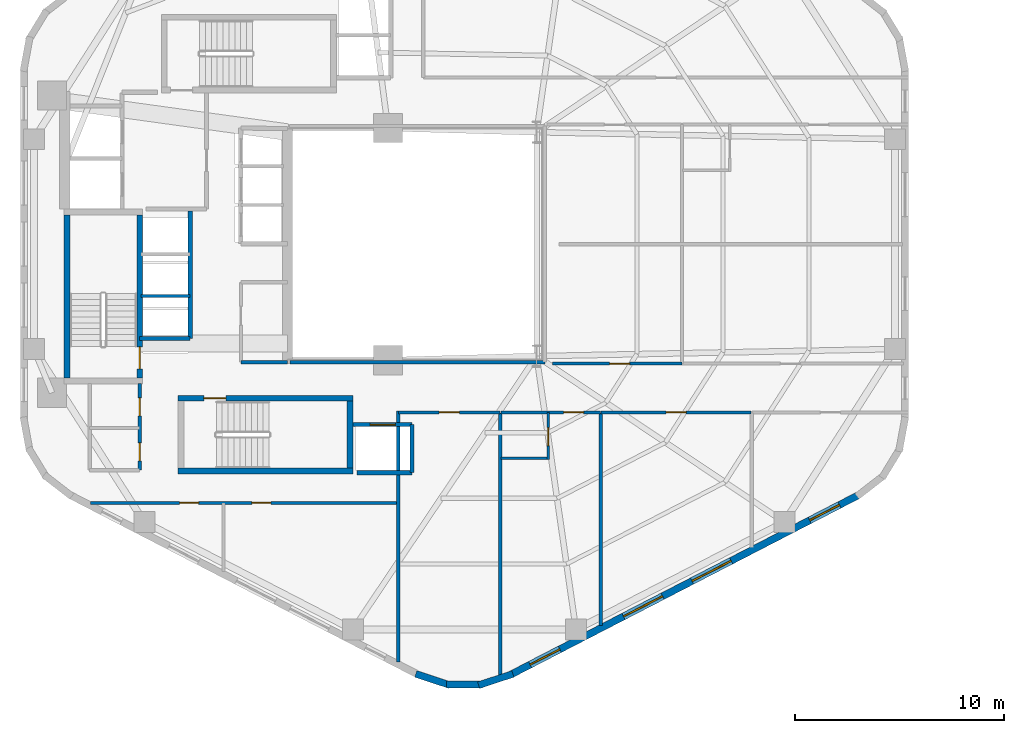
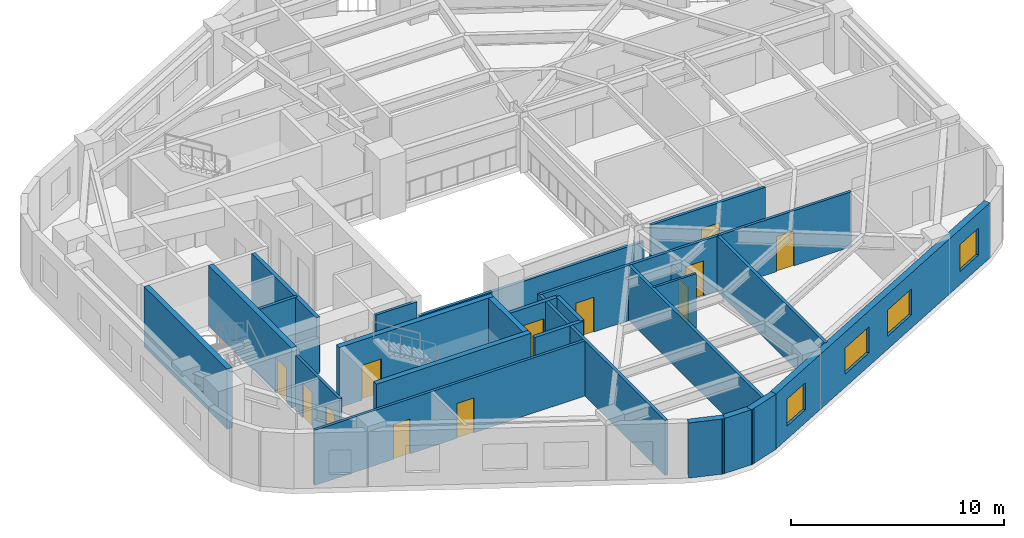
# One storey, part 5 of 10: 28 walls, 12 doors, 4 windows, 16 openings.
"""IFC4 building model written with IfcOpenShell, lengths in metres."""

from ifc_helpers import new_model, si_unit, direction, frame, frame_2d, origin, place, context, subcontext, project, spatial, rectangle, extrude, material, layer, layer_set, type_object, element, fill, save


model = new_model("IFC4")

# Units and contexts
model_context = context("Model", 3, precision=1e-05, world=origin(), true_north=direction((0.0, 1.0)))
body_context = subcontext(model_context, "Body", "Model", "MODEL_VIEW")
ifc_project = project(units=[si_unit("LENGTHUNIT", "METRE"), si_unit("AREAUNIT", "SQUARE_METRE"), si_unit("VOLUMEUNIT", "CUBIC_METRE"), si_unit("PLANEANGLEUNIT", "RADIAN"), si_unit("MASSUNIT", "GRAM", prefix="KILO"), si_unit("THERMODYNAMICTEMPERATUREUNIT", "KELVIN"), si_unit("POWERUNIT", "WATT")], contexts=[model_context])

# Site, building, storey
site_placement = place(None, origin())
site = spatial("IfcSite", under=ifc_project, at=site_placement, CompositionType="ELEMENT")
building_placement = place(site_placement, origin())
building = spatial("IfcBuilding", under=site, at=building_placement, Name="Skarre Station Tower", CompositionType="ELEMENT")
storey_placement = place(building_placement, frame((0.0, 0.0, 111.89990234375)))
storey = spatial("IfcBuildingStorey", under=building, at=storey_placement, Name="L29", CompositionType="ELEMENT", Elevation=111.89990234375)

# Wall
ifc_material_1 = material(Name="Acoustic Steel-Stud Gypsum Partition", Category="steel")
ifc_layer_1 = layer(ifc_material_1, 0.14990234375, Name="Acoustic Steel-Stud Gypsum Partition")
ifc_layer_set_1 = layer_set([ifc_layer_1], Name="Acoustic Steel-Stud Gypsum Partition")
wall_type_1 = type_object("IfcWallType", Name="Fire-Rated Corridor Acoustic Partition 150", PredefinedType="PARTITIONING", material=ifc_layer_set_1)
wall_1_placement = place(storey_placement, frame((25.320068359375, 18.360107421875, 0.0), z_axis=(0.0, 0.0, 1.0), x_axis=(1.0, 0.0, 0.0)))
element("IfcWall", 1, at=wall_1_placement, inside=storey, type_object=wall_type_1, Name="L29 Interior Partition WL-PT-L29-RC1-S", PredefinedType="PARTITIONING", context=body_context, shape_type="SweptSolid", body=[
    extrude(rectangle(XDim=2.22998046875, YDim=0.14990234375, at=frame_2d((1.114990234375, 0.0))), origin(), (0.0, 0.0, 1.0), 3.16015625),
])

# Wall, openings, doors
wall_2_placement = place(storey_placement, frame((20.489990234375, 13.199951171875, 0.0), z_axis=(0.0, 0.0, 1.0), x_axis=(0.0, 1.0, 0.0)))
wall_2 = element("IfcWall", 2, at=wall_2_placement, inside=storey, type_object=wall_type_1, Name="L29 Interior Partition WL-PT-L29-CSVC-E", PredefinedType="PARTITIONING", context=body_context, shape_type="SweptSolid", body=[
    extrude(rectangle(XDim=4.14013671875, YDim=0.14990234375, at=frame_2d((2.070068359375, 0.0))), origin(), (0.0, 0.0, 1.0), 3.16015625),
])
opening_1_placement = place(wall_2_placement, frame((0.449951171875, 0.0, 0.0)))
opening_1 = element("IfcOpeningElement", 3, at=opening_1_placement, cuts=wall_2, Name="Opening DR-SVC86", PredefinedType="OPENING", context=body_context, shape_type="SweptSolid", body=[
    extrude(rectangle(XDim=0.860107421875, YDim=2.0, at=frame_2d((0.43017578125, 1.0))), frame((0.0, 0.0849609375, 0.0), z_axis=(0.0, -1.0, 0.0), x_axis=(1.0, 0.0, 0.0)), (0.0, 0.0, 1.0), 0.169921875),
])
opening_2_placement = place(wall_2_placement, frame((2.60009765625, 0.0, 0.0)))
opening_2 = element("IfcOpeningElement", 4, at=opening_2_placement, cuts=wall_2, Name="Opening DR-SVC86", PredefinedType="OPENING", context=body_context, shape_type="SweptSolid", body=[
    extrude(rectangle(XDim=0.860107421875, YDim=2.0, at=frame_2d((0.43017578125, 1.0))), frame((0.0, 0.0849609375, 0.0), z_axis=(0.0, -1.0, 0.0), x_axis=(1.0, 0.0, 0.0)), (0.0, 0.0, 1.0), 0.169921875),
])
ifc_material_2 = material(Name="Powder-Coated Hollow-Metal Acoustic Fire Leaf", Category="steel")
door_type_1 = type_object("IfcDoorType", Name="Compact Riser Fire Door FD60 860x2100", OperationType="SINGLE_SWING_LEFT", PredefinedType="DOOR", material=ifc_material_2)
door_1_placement = place(opening_1_placement, origin())
door_1 = element("IfcDoor", 5, at=door_1_placement, inside=storey, type_object=door_type_1, Name="L29 Vending Room Door", OperationType="SINGLE_SWING_LEFT", OverallHeight=2.0, OverallWidth=0.860107421875, PredefinedType="DOOR", context=body_context, shape_type="SweptSolid", body=[
    extrude(rectangle(XDim=0.860107421875, YDim=2.0, at=frame_2d((0.43017578125, 1.0))), frame((0.0, 0.02490234375, 0.0), z_axis=(0.0, -1.0, 0.0), x_axis=(1.0, 0.0, 0.0)), (0.0, 0.0, 1.0), 0.050048828125),
])
fill(opening_1, door_1)
door_2_placement = place(opening_2_placement, origin())
door_2 = element("IfcDoor", 6, at=door_2_placement, inside=storey, type_object=door_type_1, Name="L29 Linen Storage Door", OperationType="SINGLE_SWING_LEFT", OverallHeight=2.0, OverallWidth=0.860107421875, PredefinedType="DOOR", context=body_context, shape_type="SweptSolid", body=[
    extrude(rectangle(XDim=0.860107421875, YDim=2.0, at=frame_2d((0.43017578125, 1.0))), frame((0.0, 0.02490234375, 0.0), z_axis=(0.0, -1.0, 0.0), x_axis=(1.0, 0.0, 0.0)), (0.0, 0.0, 1.0), 0.050048828125),
])
fill(opening_2, door_2)

# Wall
wall_3_placement = place(storey_placement, frame((27.675048828125, 18.360107421875, 0.0), z_axis=(0.0, 0.0, 1.0), x_axis=(1.0, 0.0, 0.0)))
element("IfcWall", 7, at=wall_3_placement, inside=storey, type_object=wall_type_1, Name="L29 Interior Partition WL-PT-L29-ATRW-S", PredefinedType="PARTITIONING", context=body_context, shape_type="SweptSolid", body=[
    extrude(rectangle(XDim=12.1650390625, YDim=0.14990234375, at=frame_2d((6.08251953125, 0.0))), origin(), (0.0, 0.0, 1.0), 2.301025390625),
])

# Wall, openings, doors
wall_4_placement = place(storey_placement, frame((18.1259765625, 11.639892578125, 0.0), z_axis=(0.0, 0.0, 1.0), x_axis=(1.0, 0.0, 0.0)))
wall_4 = element("IfcWall", 8, at=wall_4_placement, inside=storey, type_object=wall_type_1, Name="L29 Interior Partition WL-PT-L29-SWP-N", PredefinedType="PARTITIONING", context=body_context, shape_type="SweptSolid", body=[
    extrude(rectangle(XDim=14.72412109375, YDim=0.14990234375, at=frame_2d((7.362060546875, 0.0))), origin(), (0.0, 0.0, 1.0), 3.16015625),
])
opening_3_placement = place(wall_4_placement, frame((4.27392578125, 0.0, 0.0)))
opening_3 = element("IfcOpeningElement", 9, at=opening_3_placement, cuts=wall_4, Name="Opening DR-SVC90", PredefinedType="OPENING", context=body_context, shape_type="SweptSolid", body=[
    extrude(rectangle(XDim=0.89990234375, YDim=2.0, at=frame_2d((0.449951171875, 1.0))), frame((0.0, 0.0849609375, 0.0), z_axis=(0.0, -1.0, 0.0), x_axis=(1.0, 0.0, 0.0)), (0.0, 0.0, 1.0), 0.169921875),
])
opening_4_placement = place(wall_4_placement, frame((7.72412109375, 0.0, 0.0)))
opening_4 = element("IfcOpeningElement", 10, at=opening_4_placement, cuts=wall_4, Name="Opening DR-SVC90", PredefinedType="OPENING", context=body_context, shape_type="SweptSolid", body=[
    extrude(rectangle(XDim=0.89990234375, YDim=2.0, at=frame_2d((0.449951171875, 1.0))), frame((0.0, 0.0849609375, 0.0), z_axis=(0.0, -1.0, 0.0), x_axis=(1.0, 0.0, 0.0)), (0.0, 0.0, 1.0), 0.169921875),
])
door_type_2 = type_object("IfcDoorType", Name="Service & Riser Fire Door FD60 900x2100", OperationType="SINGLE_SWING_LEFT", PredefinedType="DOOR", material=ifc_material_2)
door_3_placement = place(opening_3_placement, origin())
door_3 = element("IfcDoor", 11, at=door_3_placement, inside=storey, type_object=door_type_2, Name="L29 Floor Public Toilets Door", OperationType="SINGLE_SWING_LEFT", OverallHeight=2.0, OverallWidth=0.89990234375, PredefinedType="DOOR", context=body_context, shape_type="SweptSolid", body=[
    extrude(rectangle(XDim=0.89990234375, YDim=2.0, at=frame_2d((0.449951171875, 1.0))), frame((0.0, 0.02490234375, 0.0), z_axis=(0.0, -1.0, 0.0), x_axis=(1.0, 0.0, 0.0)), (0.0, 0.0, 1.0), 0.050048828125),
])
fill(opening_3, door_3)
door_4_placement = place(opening_4_placement, origin())
door_4 = element("IfcDoor", 12, at=door_4_placement, inside=storey, type_object=door_type_2, Name="L29 Housekeeping Room Door", OperationType="SINGLE_SWING_LEFT", OverallHeight=2.0, OverallWidth=0.89990234375, PredefinedType="DOOR", context=body_context, shape_type="SweptSolid", body=[
    extrude(rectangle(XDim=0.89990234375, YDim=2.0, at=frame_2d((0.449951171875, 1.0))), frame((0.0, 0.02490234375, 0.0), z_axis=(0.0, -1.0, 0.0), x_axis=(1.0, 0.0, 0.0)), (0.0, 0.0, 1.0), 0.050048828125),
])
fill(opening_4, door_4)

# Wall, opening, door
wall_5_placement = place(storey_placement, frame((46.39306640625, 18.2900390625, 0.0), z_axis=(0.0, 0.0, 1.0), x_axis=(-1.0, 0.0, 0.0)))
wall_5 = element("IfcWall", 13, at=wall_5_placement, inside=storey, type_object=wall_type_1, Name="L29 Interior Partition WL-PT-L29-EWS1-CW", PredefinedType="PARTITIONING", context=body_context, shape_type="SweptSolid", body=[
    extrude(rectangle(XDim=6.193115234375, YDim=0.14990234375, at=frame_2d((3.0966796875, 0.0))), origin(), (0.0, 0.0, 1.0), 3.16015625),
])
opening_5_placement = place(wall_5_placement, frame((2.49609375, 0.0, 0.0)))
opening_5 = element("IfcOpeningElement", 14, at=opening_5_placement, cuts=wall_5, Name="Opening DR-FD60", PredefinedType="OPENING", context=body_context, shape_type="SweptSolid", body=[
    extrude(rectangle(XDim=0.9599609375, YDim=2.0, at=frame_2d((0.47998046875, 1.0))), frame((0.0, 0.0849609375, 0.0), z_axis=(0.0, -1.0, 0.0), x_axis=(1.0, 0.0, 0.0)), (0.0, 0.0, 1.0), 0.169921875),
])
ifc_material_3 = material(Name="Nordic White-Oak Veneer Solid-Core Fire Leaf", Category="wood")
door_type_3 = type_object("IfcDoorType", Name="Corridor Suite Entry Fire Door FD60 960x2150", OperationType="SINGLE_SWING_LEFT", PredefinedType="DOOR", material=ifc_material_3)
door_5_placement = place(opening_5_placement, origin())
door_5 = element("IfcDoor", 15, at=door_5_placement, inside=storey, type_object=door_type_3, Name="L29 EWS1 Entry Door", OperationType="SINGLE_SWING_LEFT", OverallHeight=2.0, OverallWidth=0.9599609375, PredefinedType="DOOR", context=body_context, shape_type="SweptSolid", body=[
    extrude(rectangle(XDim=0.9599609375, YDim=2.0, at=frame_2d((0.47998046875, 1.0))), frame((0.0, 0.02490234375, 0.0), z_axis=(0.0, -1.0, 0.0), x_axis=(1.0, 0.0, 0.0)), (0.0, 0.0, 1.0), 0.050048828125),
])
fill(opening_5, door_5)

wall_6_placement = place(storey_placement, frame((32.85009765625, 15.9599609375, 0.0), z_axis=(0.0, 0.0, 1.0), x_axis=(1.0, 0.0, 0.0)))
wall_6 = element("IfcWall", 16, at=wall_6_placement, inside=storey, type_object=wall_type_1, Name="L29 Interior Partition WL-PT-L29-SW1-CW", PredefinedType="PARTITIONING", context=body_context, shape_type="SweptSolid", body=[
    extrude(rectangle(XDim=4.851806640625, YDim=0.14990234375, at=frame_2d((2.42578125, 0.0))), origin(), (0.0, 0.0, 1.0), 3.16015625),
])
opening_6_placement = place(wall_6_placement, frame((1.946044921875, 0.0, 0.0)))
opening_6 = element("IfcOpeningElement", 17, at=opening_6_placement, cuts=wall_6, Name="Opening DR-FD60", PredefinedType="OPENING", context=body_context, shape_type="SweptSolid", body=[
    extrude(rectangle(XDim=0.9599609375, YDim=2.0, at=frame_2d((0.47998046875, 1.0))), frame((0.0, 0.0849609375, 0.0), z_axis=(0.0, -1.0, 0.0), x_axis=(1.0, 0.0, 0.0)), (0.0, 0.0, 1.0), 0.169921875),
])
door_6_placement = place(opening_6_placement, origin())
door_6 = element("IfcDoor", 18, at=door_6_placement, inside=storey, type_object=door_type_3, Name="L29 SW1 Entry Door", OperationType="SINGLE_SWING_LEFT", OverallHeight=2.0, OverallWidth=0.9599609375, PredefinedType="DOOR", context=body_context, shape_type="SweptSolid", body=[
    extrude(rectangle(XDim=0.9599609375, YDim=2.0, at=frame_2d((0.47998046875, 1.0))), frame((0.0, 0.02490234375, 0.0), z_axis=(0.0, -1.0, 0.0), x_axis=(1.0, 0.0, 0.0)), (0.0, 0.0, 1.0), 0.050048828125),
])
fill(opening_6, door_6)

wall_7_placement = place(storey_placement, frame((37.738037109375, 15.9599609375, 0.0), z_axis=(0.0, 0.0, 1.0), x_axis=(1.0, 0.0, 0.0)))
wall_7 = element("IfcWall", 19, at=wall_7_placement, inside=storey, type_object=wall_type_1, Name="L29 Interior Partition WL-PT-L29-SW2-CW", PredefinedType="PARTITIONING", context=body_context, shape_type="SweptSolid", body=[
    extrude(rectangle(XDim=4.762939453125, YDim=0.14990234375, at=frame_2d((2.38134765625, 0.0))), origin(), (0.0, 0.0, 1.0), 3.16015625),
])
opening_7_placement = place(wall_7_placement, frame((3.001953125, 0.0, 0.0)))
opening_7 = element("IfcOpeningElement", 20, at=opening_7_placement, cuts=wall_7, Name="Opening DR-FD60", PredefinedType="OPENING", context=body_context, shape_type="SweptSolid", body=[
    extrude(rectangle(XDim=0.9599609375, YDim=2.0, at=frame_2d((0.47998046875, 1.0))), frame((0.0, 0.0849609375, 0.0), z_axis=(0.0, -1.0, 0.0), x_axis=(1.0, 0.0, 0.0)), (0.0, 0.0, 1.0), 0.169921875),
])
door_7_placement = place(opening_7_placement, origin())
door_7 = element("IfcDoor", 21, at=door_7_placement, inside=storey, type_object=door_type_3, Name="L29 SW2 Entry Door", OperationType="SINGLE_SWING_LEFT", OverallHeight=2.0, OverallWidth=0.9599609375, PredefinedType="DOOR", context=body_context, shape_type="SweptSolid", body=[
    extrude(rectangle(XDim=0.9599609375, YDim=2.0, at=frame_2d((0.47998046875, 1.0))), frame((0.0, 0.02490234375, 0.0), z_axis=(0.0, -1.0, 0.0), x_axis=(1.0, 0.0, 0.0)), (0.0, 0.0, 1.0), 0.050048828125),
])
fill(opening_7, door_7)

wall_8_placement = place(storey_placement, frame((42.537109375, 15.9599609375, 0.0), z_axis=(0.0, 0.0, 1.0), x_axis=(1.0, 0.0, 0.0)))
wall_8 = element("IfcWall", 22, at=wall_8_placement, inside=storey, type_object=wall_type_1, Name="L29 Interior Partition WL-PT-L29-SW3-CW", PredefinedType="PARTITIONING", context=body_context, shape_type="SweptSolid", body=[
    extrude(rectangle(XDim=7.163818359375, YDim=0.14990234375, at=frame_2d((3.58203125, 0.0))), origin(), (0.0, 0.0, 1.0), 3.16015625),
])
opening_8_placement = place(wall_8_placement, frame((3.10205078125, 0.0, 0.0)))
opening_8 = element("IfcOpeningElement", 23, at=opening_8_placement, cuts=wall_8, Name="Opening DR-FD60", PredefinedType="OPENING", context=body_context, shape_type="SweptSolid", body=[
    extrude(rectangle(XDim=0.9599609375, YDim=2.0, at=frame_2d((0.47998046875, 1.0))), frame((0.0, 0.0849609375, 0.0), z_axis=(0.0, -1.0, 0.0), x_axis=(1.0, 0.0, 0.0)), (0.0, 0.0, 1.0), 0.169921875),
])
door_8_placement = place(opening_8_placement, origin())
door_8 = element("IfcDoor", 24, at=door_8_placement, inside=storey, type_object=door_type_3, Name="L29 SW3 Entry Door", OperationType="SINGLE_SWING_LEFT", OverallHeight=2.0, OverallWidth=0.9599609375, PredefinedType="DOOR", context=body_context, shape_type="SweptSolid", body=[
    extrude(rectangle(XDim=0.9599609375, YDim=2.0, at=frame_2d((0.47998046875, 1.0))), frame((0.0, 0.02490234375, 0.0), z_axis=(0.0, -1.0, 0.0), x_axis=(1.0, 0.0, 0.0)), (0.0, 0.0, 1.0), 0.050048828125),
])
fill(opening_8, door_8)

ifc_material_4 = material(Name="Insulated Timber-Stud Gypsum Partition", Category="wood")
ifc_layer_2 = layer(ifc_material_4, 0.1201171875, Name="Insulated Timber-Stud Gypsum Partition")
ifc_layer_set_2 = layer_set([ifc_layer_2], Name="Insulated Timber-Stud Gypsum Partition")
wall_type_2 = type_object("IfcWallType", Name="Internal Suite Acoustic Partition 120", PredefinedType="PARTITIONING", material=ifc_layer_set_2)
wall_9_placement = place(storey_placement, frame((39.998046875, 13.719970703125, 0.0), z_axis=(0.0, 0.0, 1.0), x_axis=(0.0, 1.0, 0.0)))
wall_9 = element("IfcWall", 25, at=wall_9_placement, inside=storey, type_object=wall_type_2, Name="L29 Interior Partition WL-PT-L29-SW2-EW2", PredefinedType="PARTITIONING", context=body_context, shape_type="SweptSolid", body=[
    extrude(rectangle(XDim=2.239990234375, YDim=0.1201171875, at=frame_2d((1.1201171875, 0.0))), origin(), (0.0, 0.0, 1.0), 2.39013671875),
])
opening_9_placement = place(wall_9_placement, frame((0.64990234375, 0.0, 0.0)))
opening_9 = element("IfcOpeningElement", 26, at=opening_9_placement, cuts=wall_9, Name="Opening DR-INT86", PredefinedType="OPENING", context=body_context, shape_type="SweptSolid", body=[
    extrude(rectangle(XDim=0.860107421875, YDim=2.0, at=frame_2d((0.43017578125, 1.0))), frame((0.0, 0.070068359375, 0.0), z_axis=(0.0, -1.0, 0.0), x_axis=(1.0, 0.0, 0.0)), (0.0, 0.0, 1.0), 0.14013671875),
])
ifc_material_5 = material(Name="Nordic Birch Acoustic Solid-Core Timber Leaf", Category="wood")
door_type_4 = type_object("IfcDoorType", Name="Internal En-Suite & Bedroom Door 860x2100", OperationType="SINGLE_SWING_LEFT", PredefinedType="DOOR", material=ifc_material_5)
door_9_placement = place(opening_9_placement, origin())
door_9 = element("IfcDoor", 27, at=door_9_placement, inside=storey, type_object=door_type_4, Name="L29 SW2 En-suite Door", OperationType="SINGLE_SWING_RIGHT", OverallHeight=2.0, OverallWidth=0.860107421875, PredefinedType="DOOR", context=body_context, shape_type="SweptSolid", body=[
    extrude(rectangle(XDim=0.860107421875, YDim=2.0, at=frame_2d((0.43017578125, 1.0))), frame((0.0, 0.02490234375, 0.0), z_axis=(0.0, -1.0, 0.0), x_axis=(1.0, 0.0, 0.0)), (0.0, 0.0, 1.0), 0.050048828125),
])
fill(opening_9, door_9)

# Wall
wall_10_placement = place(storey_placement, frame((37.738037109375, 13.780029296875, 0.0), z_axis=(0.0, 0.0, 1.0), x_axis=(1.0, 0.0, 0.0)))
element("IfcWall", 28, at=wall_10_placement, inside=storey, type_object=wall_type_2, Name="L29 Interior Partition WL-PT-L29-SW2-EW1", PredefinedType="PARTITIONING", context=body_context, shape_type="SweptSolid", body=[
    extrude(rectangle(XDim=2.320068359375, YDim=0.1201171875, at=frame_2d((1.16015625, 0.0))), origin(), (0.0, 0.0, 1.0), 3.16015625),
])

# Wall, openings, windows
ifc_material_6 = material(Name="Precast concrete C45/55", Category="concrete")
ifc_layer_3 = layer(ifc_material_6, 0.340087890625, Name="Precast concrete C45/55")
ifc_layer_set_3 = layer_set([ifc_layer_3], Name="Precast concrete C45/55")
wall_type_3 = type_object("IfcWallType", Name="Nordic Honed Precast Facet Wall 340", PredefinedType="STANDARD", material=ifc_layer_set_3)
wall_11_placement = place(storey_placement, frame((54.8310546875, 12.010009765625, 0.0), z_axis=(0.0, 0.0, 1.0), x_axis=(-0.888613612362, -0.458656568606, 0.0)))
wall_11 = element("IfcWall", 29, at=wall_11_placement, inside=storey, type_object=wall_type_3, Name="L29 Facet 4 Nordic Precast Masonry Wall", PredefinedType="STANDARD", context=body_context, shape_type="SweptSolid", body=[
    extrude(rectangle(XDim=18.680908203125, YDim=0.340087890625, at=frame_2d((9.34033203125, 0.0))), origin(), (0.0, 0.0, 1.0), 3.16015625),
])
opening_10_placement = place(wall_11_placement, frame((1.02294921875, 0.0, 0.75)))
opening_10 = element("IfcOpeningElement", 30, at=opening_10_placement, cuts=wall_11, Name="Opening WN-Z2A", PredefinedType="OPENING", context=body_context, shape_type="SweptSolid", body=[
    extrude(rectangle(XDim=1.60009765625, YDim=1.550048828125, at=frame_2d((0.800048828125, 0.77490234375))), frame((0.0, 0.179931640625, 0.0), z_axis=(0.0, -1.0, 0.0), x_axis=(1.0, 0.0, 0.0)), (0.0, 0.0, 1.0), 0.360107421875),
])
opening_11_placement = place(wall_11_placement, frame((6.847900390625, 0.0, 0.75)))
opening_11 = element("IfcOpeningElement", 31, at=opening_11_placement, cuts=wall_11, Name="Opening WN-Z2B", PredefinedType="OPENING", context=body_context, shape_type="SweptSolid", body=[
    extrude(rectangle(XDim=2.10009765625, YDim=1.5, at=frame_2d((1.050048828125, 0.75))), frame((0.0, 0.179931640625, 0.0), z_axis=(0.0, -1.0, 0.0), x_axis=(1.0, 0.0, 0.0)), (0.0, 0.0, 1.0), 0.360107421875),
])
opening_12_placement = place(wall_11_placement, frame((10.535888671875, 0.0, 0.75)))
opening_12 = element("IfcOpeningElement", 32, at=opening_12_placement, cuts=wall_11, Name="Opening WN-Z2B", PredefinedType="OPENING", context=body_context, shape_type="SweptSolid", body=[
    extrude(rectangle(XDim=2.10009765625, YDim=1.5, at=frame_2d((1.050048828125, 0.75))), frame((0.0, 0.179931640625, 0.0), z_axis=(0.0, -1.0, 0.0), x_axis=(1.0, 0.0, 0.0)), (0.0, 0.0, 1.0), 0.360107421875),
])
opening_13_placement = place(wall_11_placement, frame((16.05810546875, 0.0, 0.75)))
opening_13 = element("IfcOpeningElement", 33, at=opening_13_placement, cuts=wall_11, Name="Opening WN-Z2A", PredefinedType="OPENING", context=body_context, shape_type="SweptSolid", body=[
    extrude(rectangle(XDim=1.60009765625, YDim=1.550048828125, at=frame_2d((0.800048828125, 0.77490234375))), frame((0.0, 0.179931640625, 0.0), z_axis=(0.0, -1.0, 0.0), x_axis=(1.0, 0.0, 0.0)), (0.0, 0.0, 1.0), 0.360107421875),
])
ifc_material_7 = material(Name="Low-Iron Triple Glazing with Bronze Anodized Frame", Category="glass")
window_type_1 = type_object("IfcWindowType", Name="Nordic Residential Tall Window 1600x1550", PartitioningType="SINGLE_PANEL", PredefinedType="WINDOW", material=ifc_material_7)
window_1_placement = place(opening_10_placement, origin())
window_1 = element("IfcWindow", 34, at=window_1_placement, inside=storey, type_object=window_type_1, Name="L29 Facade Window WL-FAC-L29-F4-1", OverallHeight=1.550048828125, OverallWidth=1.60009765625, PartitioningType="SINGLE_PANEL", PredefinedType="WINDOW", context=body_context, shape_type="SweptSolid", body=[
    extrude(rectangle(XDim=1.60009765625, YDim=1.550048828125, at=frame_2d((0.800048828125, 0.77490234375))), frame((0.0, 0.030029296875, 0.0), z_axis=(0.0, -1.0, 0.0), x_axis=(1.0, 0.0, 0.0)), (0.0, 0.0, 1.0), 0.06005859375),
])
fill(opening_10, window_1)
window_2_placement = place(opening_13_placement, origin())
window_2 = element("IfcWindow", 35, at=window_2_placement, inside=storey, type_object=window_type_1, Name="L29 Facade Window WL-FAC-L29-F4-4", OverallHeight=1.550048828125, OverallWidth=1.60009765625, PartitioningType="SINGLE_PANEL", PredefinedType="WINDOW", context=body_context, shape_type="SweptSolid", body=[
    extrude(rectangle(XDim=1.60009765625, YDim=1.550048828125, at=frame_2d((0.800048828125, 0.77490234375))), frame((0.0, 0.030029296875, 0.0), z_axis=(0.0, -1.0, 0.0), x_axis=(1.0, 0.0, 0.0)), (0.0, 0.0, 1.0), 0.06005859375),
])
fill(opening_13, window_2)
window_type_2 = type_object("IfcWindowType", Name="Nordic Residential Twin Window 2100x1500", PartitioningType="SINGLE_PANEL", PredefinedType="WINDOW", material=ifc_material_7)
window_3_placement = place(opening_11_placement, origin())
window_3 = element("IfcWindow", 36, at=window_3_placement, inside=storey, type_object=window_type_2, Name="L29 Facade Window WL-FAC-L29-F4-2", OverallHeight=1.5, OverallWidth=2.10009765625, PartitioningType="SINGLE_PANEL", PredefinedType="WINDOW", context=body_context, shape_type="SweptSolid", body=[
    extrude(rectangle(XDim=2.10009765625, YDim=1.5, at=frame_2d((1.050048828125, 0.75))), frame((0.0, 0.030029296875, 0.0), z_axis=(0.0, -1.0, 0.0), x_axis=(1.0, 0.0, 0.0)), (0.0, 0.0, 1.0), 0.06005859375),
])
fill(opening_11, window_3)
window_4_placement = place(opening_12_placement, origin())
window_4 = element("IfcWindow", 37, at=window_4_placement, inside=storey, type_object=window_type_2, Name="L29 Facade Window WL-FAC-L29-F4-3", OverallHeight=1.5, OverallWidth=2.10009765625, PartitioningType="SINGLE_PANEL", PredefinedType="WINDOW", context=body_context, shape_type="SweptSolid", body=[
    extrude(rectangle(XDim=2.10009765625, YDim=1.5, at=frame_2d((1.050048828125, 0.75))), frame((0.0, 0.030029296875, 0.0), z_axis=(0.0, -1.0, 0.0), x_axis=(1.0, 0.0, 0.0)), (0.0, 0.0, 1.0), 0.06005859375),
])
fill(opening_12, window_4)

# Walls
ifc_layer_4 = layer(ifc_material_6, 0.330078125, Name="Precast concrete C45/55")
ifc_layer_set_4 = layer_set([ifc_layer_4], Name="Precast concrete C45/55")
wall_type_4 = type_object("IfcWallType", Name="Nordic Rounded Corner Precast Wall 330", PredefinedType="STANDARD", material=ifc_layer_set_4)
for number, where, z_axis, x_axis, name in (
    (38, (38.319091796875, 3.468017578125, 0.0), (0.0, 0.0, 1.0), (-0.949937416267, -0.312440242569, 0.0), "L29 Rounded Corner Precast Wall F4-1"),
    (39, (36.861083984375, 2.958984375, 0.0), (0.0, 0.0, 1.0), (-1.0, 0.0, 0.0), "L29 Rounded Corner Precast Wall F4-2"),
    (40, (35.31689453125, 2.929931640625, 0.0), (0.0, 0.0, 1.0), (-0.949937416267, 0.312440242569, 0.0), "L29 Rounded Corner Precast Wall F4-3"),
):
    element("IfcWall", number, at=place(storey_placement, frame(where, z_axis=z_axis, x_axis=x_axis)), inside=storey, type_object=wall_type_4, Name=name, PredefinedType="STANDARD", context=body_context, shape_type="SweptSolid", body=[
        extrude(rectangle(XDim=1.72216796875, YDim=0.330078125, at=frame_2d((0.861083984375, 0.0))), origin(), (0.0, 0.0, 1.0), 3.16015625),
    ])
ifc_material_8 = material(Name="Concrete C50/60", Category="concrete")
ifc_layer_5 = layer(ifc_material_8, 0.280029296875, Name="Concrete C50/60")
ifc_layer_set_5 = layer_set([ifc_layer_5], Name="Concrete C50/60")
wall_type_5 = type_object("IfcWallType", Name="RC Core Shear Wall 280", PredefinedType="SHEAR", material=ifc_layer_set_5)
wall_12_placement = place(storey_placement, frame((17.010009765625, 25.39990234375, 0.0), z_axis=(0.0, 0.0, 1.0), x_axis=(0.0, -1.0, 0.0)))
element("IfcWall", 41, at=wall_12_placement, inside=storey, type_object=wall_type_5, Name="L29 Stair ST-1 West Shear Wall", PredefinedType="SHEAR", context=body_context, shape_type="SweptSolid", body=[
    extrude(rectangle(XDim=7.7998046875, YDim=0.280029296875, at=frame_2d((3.89990234375, 0.0))), origin(), (0.0, 0.0, 1.0), 3.4501953125),
])

# Wall, opening, door
wall_13_placement = place(storey_placement, frame((20.489990234375, 17.60009765625, 0.0), z_axis=(0.0, 0.0, 1.0), x_axis=(0.0, 1.0, 0.0)))
wall_13 = element("IfcWall", 42, at=wall_13_placement, inside=storey, type_object=wall_type_5, Name="L29 Stair ST-1 East Shear Wall", PredefinedType="SHEAR", context=body_context, shape_type="SweptSolid", body=[
    extrude(rectangle(XDim=7.7998046875, YDim=0.280029296875, at=frame_2d((3.89990234375, 0.0))), origin(), (0.0, 0.0, 1.0), 3.4501953125),
])
opening_14_placement = place(wall_13_placement, frame((0.43994140625, 0.0, 0.0)))
opening_14 = element("IfcOpeningElement", 43, at=opening_14_placement, cuts=wall_13, Name="Opening DR-FD90", PredefinedType="OPENING", context=body_context, shape_type="SweptSolid", body=[
    extrude(rectangle(XDim=1.050048828125, YDim=2.0, at=frame_2d((0.52490234375, 1.0))), frame((0.0, 0.14990234375, 0.0), z_axis=(0.0, -1.0, 0.0), x_axis=(1.0, 0.0, 0.0)), (0.0, 0.0, 1.0), 0.300048828125),
])
ifc_material_9 = material(Name="Fire-Rated Insulated Steel Frame & Timber Core Leaf", Category="steel")
door_type_5 = type_object("IfcDoorType", Name="Stair & FSAE Lobby Fire Door FD90 1050x2150", OperationType="SINGLE_SWING_RIGHT", PredefinedType="DOOR", material=ifc_material_9)
door_10_placement = place(opening_14_placement, origin())
door_10 = element("IfcDoor", 44, at=door_10_placement, inside=storey, type_object=door_type_5, Name="L29 Stair ST-1 Exit Door", OperationType="SINGLE_SWING_RIGHT", OverallHeight=2.0, OverallWidth=1.050048828125, PredefinedType="DOOR", context=body_context, shape_type="SweptSolid", body=[
    extrude(rectangle(XDim=1.050048828125, YDim=2.0, at=frame_2d((0.52490234375, 1.0))), frame((0.0, 0.02490234375, 0.0), z_axis=(0.0, -1.0, 0.0), x_axis=(1.0, 0.0, 0.0)), (0.0, 0.0, 1.0), 0.050048828125),
])
fill(opening_14, door_10)

# Wall
wall_14_placement = place(storey_placement, frame((22.320068359375, 13.159912109375, 0.0), z_axis=(0.0, 0.0, 1.0), x_axis=(1.0, 0.0, 0.0)))
element("IfcWall", 45, at=wall_14_placement, inside=storey, type_object=wall_type_5, Name="L29 Stair ST-2 South Shear Wall", PredefinedType="SHEAR", context=body_context, shape_type="SweptSolid", body=[
    extrude(rectangle(XDim=8.35986328125, YDim=0.280029296875, at=frame_2d((4.179931640625, 0.0))), origin(), (0.0, 0.0, 1.0), 3.4501953125),
])

# Wall, opening, door
wall_15_placement = place(storey_placement, frame((30.679931640625, 16.639892578125, 0.0), z_axis=(0.0, 0.0, 1.0), x_axis=(-1.0, 0.0, 0.0)))
wall_15 = element("IfcWall", 46, at=wall_15_placement, inside=storey, type_object=wall_type_5, Name="L29 Stair ST-2 North Shear Wall", PredefinedType="SHEAR", context=body_context, shape_type="SweptSolid", body=[
    extrude(rectangle(XDim=8.35986328125, YDim=0.280029296875, at=frame_2d((4.179931640625, 0.0))), origin(), (0.0, 0.0, 1.0), 3.4501953125),
])
opening_15_placement = place(wall_15_placement, frame((6.080078125, 0.0, 0.0)))
opening_15 = element("IfcOpeningElement", 47, at=opening_15_placement, cuts=wall_15, Name="Opening DR-FD90", PredefinedType="OPENING", context=body_context, shape_type="SweptSolid", body=[
    extrude(rectangle(XDim=1.050048828125, YDim=2.0, at=frame_2d((0.52490234375, 1.0))), frame((0.0, 0.14990234375, 0.0), z_axis=(0.0, -1.0, 0.0), x_axis=(1.0, 0.0, 0.0)), (0.0, 0.0, 1.0), 0.300048828125),
])
door_11_placement = place(opening_15_placement, origin())
door_11 = element("IfcDoor", 48, at=door_11_placement, inside=storey, type_object=door_type_5, Name="L29 Stair ST-2 Exit Door", OperationType="SINGLE_SWING_RIGHT", OverallHeight=2.0, OverallWidth=1.050048828125, PredefinedType="DOOR", context=body_context, shape_type="SweptSolid", body=[
    extrude(rectangle(XDim=1.050048828125, YDim=2.0, at=frame_2d((0.52490234375, 1.0))), frame((0.0, 0.02490234375, 0.0), z_axis=(0.0, -1.0, 0.0), x_axis=(1.0, 0.0, 0.0)), (0.0, 0.0, 1.0), 0.050048828125),
])
fill(opening_15, door_11)

# Wall
wall_16_placement = place(storey_placement, frame((30.5400390625, 13.300048828125, 0.0), z_axis=(0.0, 0.0, 1.0), x_axis=(0.0, 1.0, 0.0)))
element("IfcWall", 49, at=wall_16_placement, inside=storey, type_object=wall_type_5, Name="L29 Stair ST-2 East Shear Wall", PredefinedType="SHEAR", context=body_context, shape_type="SweptSolid", body=[
    extrude(rectangle(XDim=3.199951171875, YDim=0.280029296875, at=frame_2d((1.60009765625, 0.0))), origin(), (0.0, 0.0, 1.0), 3.4501953125),
])

# Wall, opening, door
ifc_material_10 = material(Name="Gypsum Concrete Shaft Assembly C30/37", Category="concrete")
ifc_layer_6 = layer(ifc_material_10, 0.199951171875, Name="Gypsum Concrete Shaft Assembly C30/37")
ifc_layer_set_6 = layer_set([ifc_layer_6], Name="Gypsum Concrete Shaft Assembly C30/37")
wall_type_6 = type_object("IfcWallType", Name="Shaft & Core Fire Partition 200", PredefinedType="PARTITIONING", material=ifc_layer_set_6)
wall_17_placement = place(storey_placement, frame((33.5, 15.3798828125, 0.0), z_axis=(0.0, 0.0, 1.0), x_axis=(-1.0, 0.0, 0.0)))
wall_17 = element("IfcWall", 50, at=wall_17_placement, inside=storey, type_object=wall_type_6, Name="L29 Interior Partition WL-PT-L29-SV1-N", PredefinedType="PARTITIONING", context=body_context, shape_type="SweptSolid", body=[
    extrude(rectangle(XDim=2.820068359375, YDim=0.199951171875, at=frame_2d((1.41015625, 0.0))), origin(), (0.0, 0.0, 1.0), 3.16015625),
])
opening_16_placement = place(wall_17_placement, frame((0.800048828125, 0.0, 0.0)))
opening_16 = element("IfcOpeningElement", 51, at=opening_16_placement, cuts=wall_17, Name="Opening LD-SV1", PredefinedType="OPENING", context=body_context, shape_type="SweptSolid", body=[
    extrude(rectangle(XDim=1.199951171875, YDim=2.199951171875, at=frame_2d((0.60009765625, 1.10009765625))), frame((0.0, 0.10986328125, 0.0), z_axis=(0.0, -1.0, 0.0), x_axis=(1.0, 0.0, 0.0)), (0.0, 0.0, 1.0), 0.219970703125),
])
ifc_material_11 = material(Name="Heavy-Gauge Brushed Stainless Steel Sliding Leaves", Category="steel")
door_type_6 = type_object("IfcDoorType", Name="Service Elevator Wide Sliding Landing Door 1200x2200", OperationType="SLIDING_TO_RIGHT", PredefinedType="DOOR", material=ifc_material_11)
door_12_placement = place(opening_16_placement, origin())
door_12 = element("IfcDoor", 52, at=door_12_placement, inside=storey, type_object=door_type_6, Name="L29 Service Lift LF-SV1 Landing Door", OperationType="SLIDING_TO_RIGHT", OverallHeight=2.199951171875, OverallWidth=1.199951171875, PredefinedType="DOOR", context=body_context, shape_type="SweptSolid", body=[
    extrude(rectangle(XDim=1.199951171875, YDim=2.199951171875, at=frame_2d((0.60009765625, 1.10009765625))), frame((0.0, 0.02490234375, 0.0), z_axis=(0.0, -1.0, 0.0), x_axis=(1.0, 0.0, 0.0)), (0.0, 0.0, 1.0), 0.050048828125),
])
fill(opening_16, door_12)

# Walls
wall_18_placement = place(storey_placement, frame((33.5, 13.080078125, 0.0), z_axis=(0.0, 0.0, 1.0), x_axis=(0.0, 1.0, 0.0)))
element("IfcWall", 53, at=wall_18_placement, inside=storey, type_object=wall_type_6, Name="L29 Interior Partition WL-PT-L29-SV1-E", PredefinedType="PARTITIONING", context=body_context, shape_type="SweptSolid", body=[
    extrude(rectangle(XDim=2.2998046875, YDim=0.199951171875, at=frame_2d((1.14990234375, 0.0))), origin(), (0.0, 0.0, 1.0), 3.16015625),
])
wall_19_placement = place(storey_placement, frame((30.87890625, 13.080078125, 0.0), z_axis=(0.0, 0.0, 1.0), x_axis=(1.0, 0.0, 0.0)))
element("IfcWall", 54, at=wall_19_placement, inside=storey, type_object=wall_type_6, Name="L29 Interior Partition WL-PT-L29-SV1-S", PredefinedType="PARTITIONING", context=body_context, shape_type="SweptSolid", body=[
    extrude(rectangle(XDim=2.62109375, YDim=0.199951171875, at=frame_2d((1.310546875, 0.0))), origin(), (0.0, 0.0, 1.0), 3.16015625),
])
wall_20_placement = place(storey_placement, frame((22.89990234375, 19.5, 0.0), z_axis=(0.0, 0.0, 1.0), x_axis=(0.0, 1.0, 0.0)))
element("IfcWall", 55, at=wall_20_placement, inside=storey, type_object=wall_type_6, Name="L29 Interior Partition WL-PT-L29-B3-E", PredefinedType="PARTITIONING", context=body_context, shape_type="SweptSolid", body=[
    extrude(rectangle(XDim=6.0849609375, YDim=0.199951171875, at=frame_2d((3.04248046875, 0.0))), origin(), (0.0, 0.0, 1.0), 3.16015625),
])
wall_21_placement = place(storey_placement, frame((20.489990234375, 19.5, 0.0), z_axis=(0.0, 0.0, 1.0), x_axis=(1.0, 0.0, 0.0)))
element("IfcWall", 56, at=wall_21_placement, inside=storey, type_object=wall_type_6, Name="L29 Interior Partition WL-PT-L29-B3-S", PredefinedType="PARTITIONING", context=body_context, shape_type="SweptSolid", body=[
    extrude(rectangle(XDim=2.409912109375, YDim=0.199951171875, at=frame_2d((1.205078125, 0.0))), origin(), (0.0, 0.0, 1.0), 2.06005859375),
])
wall_22_placement = place(storey_placement, frame((20.550048828125, 21.52001953125, 0.0), z_axis=(0.0, 0.0, 1.0), x_axis=(1.0, 0.0, 0.0)))
element("IfcWall", 57, at=wall_22_placement, inside=storey, type_object=wall_type_6, Name="L29 Interior Partition WL-PT-L29-B3-D1", PredefinedType="PARTITIONING", context=body_context, shape_type="SweptSolid", body=[
    extrude(rectangle(XDim=2.349853515625, YDim=0.159912109375, at=frame_2d((1.1748046875, 0.0))), origin(), (0.0, 0.0, 1.0), 3.16015625),
])
ifc_layer_7 = layer(ifc_material_1, 0.1650390625, Name="Acoustic Steel-Stud Gypsum Partition")
ifc_layer_set_7 = layer_set([ifc_layer_7], Name="Acoustic Steel-Stud Gypsum Partition")
wall_type_7 = type_object("IfcWallType", Name="Suite Demising Acoustic Partition 165", PredefinedType="PARTITIONING", material=ifc_layer_set_7)
wall_23_placement = place(storey_placement, frame((32.85009765625, 4.0400390625, 0.0), z_axis=(0.0, 0.0, 1.0), x_axis=(0.0, 1.0, 0.0)))
element("IfcWall", 58, at=wall_23_placement, inside=storey, type_object=wall_type_7, Name="L29 Interior Partition WL-PT-L29-SWP-E", PredefinedType="PARTITIONING", context=body_context, shape_type="SweptSolid", body=[
    extrude(rectangle(XDim=11.989990234375, YDim=0.1650390625, at=frame_2d((5.9951171875, 0.0))), origin(), (0.0, 0.0, 1.0), 3.16015625),
])
wall_24_placement = place(storey_placement, frame((37.719970703125, 3.403076171875, 0.0), z_axis=(0.0, 0.0, 1.0), x_axis=(0.0, 1.0, 0.0)))
element("IfcWall", 59, at=wall_24_placement, inside=storey, type_object=wall_type_7, Name="L29 Interior Partition WL-PT-L29-SW-P1", PredefinedType="PARTITIONING", context=body_context, shape_type="SweptSolid", body=[
    extrude(rectangle(XDim=12.52685546875, YDim=0.1650390625, at=frame_2d((6.263427734375, 0.0))), origin(), (0.0, 0.0, 1.0), 3.16015625),
])
wall_25_placement = place(storey_placement, frame((42.51904296875, 5.7900390625, 0.0), z_axis=(0.0, 0.0, 1.0), x_axis=(0.0, 1.0, 0.0)))
element("IfcWall", 60, at=wall_25_placement, inside=storey, type_object=wall_type_7, Name="L29 Interior Partition WL-PT-L29-SW-P2", PredefinedType="PARTITIONING", context=body_context, shape_type="SweptSolid", body=[
    extrude(rectangle(XDim=10.139892578125, YDim=0.1650390625, at=frame_2d((5.06982421875, 0.0))), origin(), (0.0, 0.0, 1.0), 3.16015625),
])

save(model, "model.ifc")
